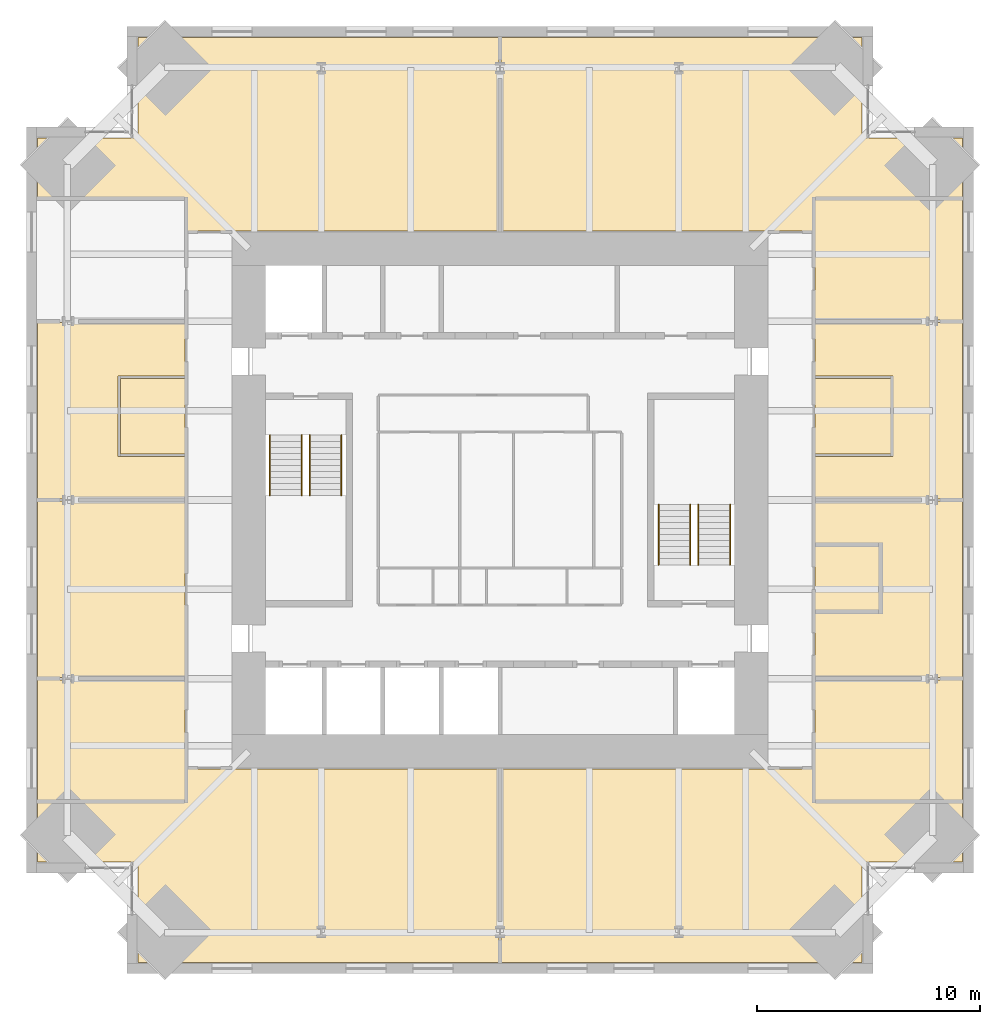
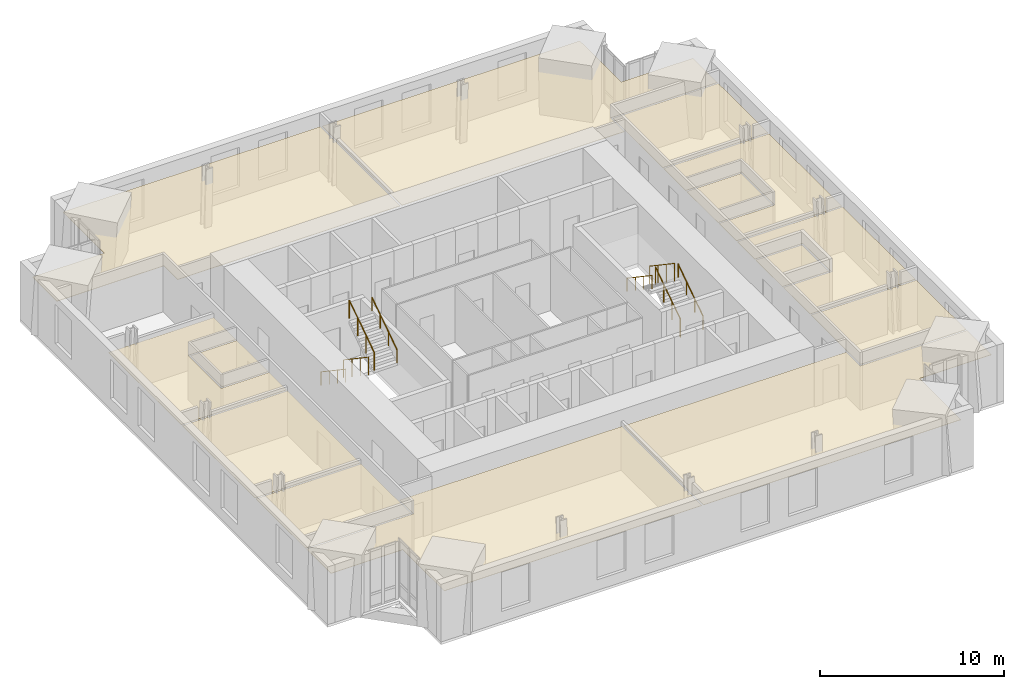
# One storey, part 15 of 15: 14 coverings, 8 railings.
"""IFC4 building model written with IfcOpenShell, lengths in metres."""

from ifc_helpers import new_model, si_unit, direction, frame, origin, origin_2d, place, context, subcontext, project, spatial, polyline, circle, outline, extrude, material, layer, layer_set, type_object, element, save


model = new_model("IFC4")

# Units and contexts
model_context = context("Model", 3, precision=1e-05, world=origin(), true_north=direction((0.0, 1.0)))
body_context = subcontext(model_context, "Body", "Model", "MODEL_VIEW")
ifc_project = project(units=[si_unit("LENGTHUNIT", "METRE"), si_unit("AREAUNIT", "SQUARE_METRE"), si_unit("VOLUMEUNIT", "CUBIC_METRE"), si_unit("PLANEANGLEUNIT", "RADIAN"), si_unit("MASSUNIT", "GRAM", prefix="KILO")], contexts=[model_context])

# Site, building, storey
site_placement = place(None, origin())
site = spatial("IfcSite", under=ifc_project, at=site_placement, CompositionType="ELEMENT")
building_placement = place(site_placement, origin())
building = spatial("IfcBuilding", under=site, at=building_placement, Name="Peilmerk Tower", CompositionType="ELEMENT")
storey_placement = place(building_placement, frame((0.0, 0.0, 285.800048828125)))
storey = spatial("IfcBuildingStorey", under=building, at=storey_placement, Name="L64", CompositionType="ELEMENT", Elevation=285.800048828125)

# Coverings
ifc_material_1 = material(Name="Mineral fibre ceiling tiles", Category="mineral")
ifc_layer = layer(ifc_material_1, 0.02490234375)
ifc_layer_set = layer_set([ifc_layer], Name="Mineral fibre ceiling tiles")
covering_type = type_object("IfcCoveringType", Name="CL1 25 suspended ceiling", PredefinedType="CEILING", material=ifc_layer_set)
covering_1_placement = place(storey_placement, frame((0.0, 0.0, 2.905029296875)))
element("IfcCovering", 1, at=covering_1_placement, inside=storey, type_object=covering_type, Name="Suspended ceiling Office", PredefinedType="CEILING", context=body_context, shape_type="SweptSolid", body=[
    extrude(outline(polyline([(-20.699951171875, 16.199951171875), (-20.699951171875, 13.550048828125), (-14.0, 13.550048828125), (-14.0, 12.050048828125), (-0.050048828125, 12.050048828125), (-0.050048828125, 20.699951171875), (-16.199951171875, 20.699951171875), (-16.199951171875, 16.199951171875), (-20.699951171875, 16.199951171875)])), origin(), (0.0, 0.0, 1.0), 0.02490234375),
])
covering_2_placement = place(storey_placement, frame((0.0, 0.0, 2.905029296875)))
element("IfcCovering", 2, at=covering_2_placement, inside=storey, type_object=covering_type, Name="Suspended ceiling Reception", PredefinedType="CEILING", context=body_context, shape_type="SweptSolid", body=[
    extrude(outline(polyline([(16.199951171875, 20.699951171875), (0.050048828125, 20.699951171875), (0.050048828125, 12.050048828125), (14.0, 12.050048828125), (14.0, 13.550048828125), (20.699951171875, 13.550048828125), (20.699951171875, 16.199951171875), (16.199951171875, 16.199951171875), (16.199951171875, 20.699951171875)])), origin(), (0.0, 0.0, 1.0), 0.02490234375),
])
covering_3_placement = place(storey_placement, frame((0.0, 0.0, 2.905029296875)))
element("IfcCovering", 3, at=covering_3_placement, inside=storey, type_object=covering_type, Name="Suspended ceiling Office", PredefinedType="CEILING", context=body_context, shape_type="SweptSolid", body=[
    extrude(outline(polyline([(-16.199951171875, -20.699951171875), (-0.050048828125, -20.699951171875), (-0.050048828125, -12.050048828125), (-14.0, -12.050048828125), (-14.0, -13.550048828125), (-20.699951171875, -13.550048828125), (-20.699951171875, -16.199951171875), (-16.199951171875, -16.199951171875), (-16.199951171875, -20.699951171875)])), origin(), (0.0, 0.0, 1.0), 0.02490234375),
])
covering_4_placement = place(storey_placement, frame((0.0, 0.0, 2.905029296875)))
element("IfcCovering", 4, at=covering_4_placement, inside=storey, type_object=covering_type, Name="Suspended ceiling Office", PredefinedType="CEILING", context=body_context, shape_type="SweptSolid", body=[
    extrude(outline(polyline([(0.050048828125, -20.699951171875), (16.199951171875, -20.699951171875), (16.199951171875, -16.199951171875), (20.699951171875, -16.199951171875), (20.699951171875, -13.550048828125), (14.0, -13.550048828125), (14.0, -12.050048828125), (0.050048828125, -12.050048828125), (0.050048828125, -20.699951171875)])), origin(), (0.0, 0.0, 1.0), 0.02490234375),
])
covering_5_placement = place(storey_placement, frame((0.0, 0.0, 2.905029296875)))
element("IfcCovering", 5, at=covering_5_placement, inside=storey, type_object=covering_type, Name="Suspended ceiling Executive office", PredefinedType="CEILING", context=body_context, shape_type="SweptSolid", body=[
    extrude(outline(polyline([(20.699951171875, -13.449951171875), (20.699951171875, -8.050048828125), (14.10009765625, -8.050048828125), (14.10009765625, -13.449951171875), (20.699951171875, -13.449951171875)])), origin(), (0.0, 0.0, 1.0), 0.02490234375),
])
covering_6_placement = place(storey_placement, frame((0.0, 0.0, 2.905029296875)))
element("IfcCovering", 6, at=covering_6_placement, inside=storey, type_object=covering_type, Name="Suspended ceiling Executive office", PredefinedType="CEILING", context=body_context, shape_type="SweptSolid", body=[
    extrude(outline(polyline([(14.10009765625, -7.949951171875), (20.699951171875, -7.949951171875), (20.699951171875, -0.050048828125), (14.10009765625, -0.050048828125), (14.10009765625, -1.949951171875), (17.10009765625, -1.949951171875), (17.10009765625, -5.050048828125), (14.10009765625, -5.050048828125), (14.10009765625, -7.949951171875)])), origin(), (0.0, 0.0, 1.0), 0.02490234375),
])
covering_7_placement = place(storey_placement, frame((0.0, 0.0, 2.905029296875)))
element("IfcCovering", 7, at=covering_7_placement, inside=storey, type_object=covering_type, Name="Suspended ceiling Executive office", PredefinedType="CEILING", context=body_context, shape_type="SweptSolid", body=[
    extrude(outline(polyline([(14.10009765625, 0.050048828125), (20.699951171875, 0.050048828125), (20.699951171875, 7.949951171875), (14.10009765625, 7.949951171875), (14.10009765625, 5.550048828125), (17.60009765625, 5.550048828125), (17.60009765625, 1.949951171875), (14.10009765625, 1.949951171875), (14.10009765625, 0.050048828125)])), origin(), (0.0, 0.0, 1.0), 0.02490234375),
])
covering_8_placement = place(storey_placement, frame((0.0, 0.0, 2.905029296875)))
element("IfcCovering", 8, at=covering_8_placement, inside=storey, type_object=covering_type, Name="Suspended ceiling Executive office", PredefinedType="CEILING", context=body_context, shape_type="SweptSolid", body=[
    extrude(outline(polyline([(20.699951171875, 8.050048828125), (20.699951171875, 13.449951171875), (14.10009765625, 13.449951171875), (14.10009765625, 8.050048828125), (20.699951171875, 8.050048828125)])), origin(), (0.0, 0.0, 1.0), 0.02490234375),
])
covering_9_placement = place(storey_placement, frame((0.0, 0.0, 2.905029296875)))
element("IfcCovering", 9, at=covering_9_placement, inside=storey, type_object=covering_type, Name="Suspended ceiling Meeting room", PredefinedType="CEILING", context=body_context, shape_type="SweptSolid", body=[
    extrude(outline(polyline([(17.5, 2.050048828125), (17.5, 5.449951171875), (14.10009765625, 5.449951171875), (14.10009765625, 2.050048828125), (17.5, 2.050048828125)])), origin(), (0.0, 0.0, 1.0), 0.02490234375),
])
covering_10_placement = place(storey_placement, frame((0.0, 0.0, 2.905029296875)))
element("IfcCovering", 10, at=covering_10_placement, inside=storey, type_object=covering_type, Name="Suspended ceiling Print room", PredefinedType="CEILING", context=body_context, shape_type="SweptSolid", body=[
    extrude(outline(polyline([(17.0, -4.949951171875), (17.0, -2.050048828125), (14.10009765625, -2.050048828125), (14.10009765625, -4.949951171875), (17.0, -4.949951171875)])), origin(), (0.0, 0.0, 1.0), 0.02490234375),
])
covering_11_placement = place(storey_placement, frame((0.0, 0.0, 2.905029296875)))
element("IfcCovering", 11, at=covering_11_placement, inside=storey, type_object=covering_type, Name="Suspended ceiling Executive office", PredefinedType="CEILING", context=body_context, shape_type="SweptSolid", body=[
    extrude(outline(polyline([(-20.699951171875, -8.050048828125), (-20.699951171875, -13.449951171875), (-14.10009765625, -13.449951171875), (-14.10009765625, -8.050048828125), (-20.699951171875, -8.050048828125)])), origin(), (0.0, 0.0, 1.0), 0.02490234375),
])
covering_12_placement = place(storey_placement, frame((0.0, 0.0, 2.905029296875)))
element("IfcCovering", 12, at=covering_12_placement, inside=storey, type_object=covering_type, Name="Suspended ceiling Board room", PredefinedType="CEILING", context=body_context, shape_type="SweptSolid", body=[
    extrude(outline(polyline([(-20.699951171875, -0.050048828125), (-20.699951171875, -7.949951171875), (-14.10009765625, -7.949951171875), (-14.10009765625, -0.050048828125), (-20.699951171875, -0.050048828125)])), origin(), (0.0, 0.0, 1.0), 0.02490234375),
])
covering_13_placement = place(storey_placement, frame((0.0, 0.0, 2.905029296875)))
element("IfcCovering", 13, at=covering_13_placement, inside=storey, type_object=covering_type, Name="Suspended ceiling Executive office", PredefinedType="CEILING", context=body_context, shape_type="SweptSolid", body=[
    extrude(outline(polyline([(-14.10009765625, 7.949951171875), (-20.699951171875, 7.949951171875), (-20.699951171875, 0.050048828125), (-14.10009765625, 0.050048828125), (-14.10009765625, 1.949951171875), (-17.10009765625, 1.949951171875), (-17.10009765625, 5.550048828125), (-14.10009765625, 5.550048828125), (-14.10009765625, 7.949951171875)])), origin(), (0.0, 0.0, 1.0), 0.02490234375),
])
covering_14_placement = place(storey_placement, frame((0.0, 0.0, 2.905029296875)))
element("IfcCovering", 14, at=covering_14_placement, inside=storey, type_object=covering_type, Name="Suspended ceiling Pantry", PredefinedType="CEILING", context=body_context, shape_type="SweptSolid", body=[
    extrude(outline(polyline([(-14.10009765625, 2.050048828125), (-14.10009765625, 5.449951171875), (-17.0, 5.449951171875), (-17.0, 2.050048828125), (-14.10009765625, 2.050048828125)])), origin(), (0.0, 0.0, 1.0), 0.02490234375),
])

# Railings
ifc_material_2 = material(Name="Steel flat bar balustrade", Category="steel")
railing_type_1 = type_object("IfcRailingType", Name="GR1 1200 stair guard", PredefinedType="GUARDRAIL", material=ifc_material_2)
railing_1_placement = place(storey_placement, frame((-8.8798828125, 2.89990234375, 0.181884765625)))
element("IfcRailing", 15, at=railing_1_placement, inside=storey, type_object=railing_type_1, Name="Guard stair 1 L64", PredefinedType="GUARDRAIL", context=body_context, shape_type="SweptSolid", body=[
    extrude(circle(Radius=0.02392578125, at=origin_2d()), frame((0.0, 0.0, 1.17578125), z_axis=(0.0, -0.829468130872, 0.55855404382), x_axis=(1.0, 0.0, 0.0)), (0.0, 0.0, 1.0), 3.255126953125),
    extrude(circle(Radius=0.02099609375, at=origin_2d()), origin(), (0.0, 0.0, 1.0), 1.15185546875),
    extrude(circle(Radius=0.02099609375, at=origin_2d()), frame((0.0, -0.89990234375, 0.60595703125)), (0.0, 0.0, 1.0), 1.15185546875),
    extrude(circle(Radius=0.02099609375, at=origin_2d()), frame((0.0, -1.800048828125, 1.212158203125)), (0.0, 0.0, 1.0), 1.15185546875),
    extrude(circle(Radius=0.02099609375, at=origin_2d()), frame((0.0, -2.699951171875, 1.818115234375)), (0.0, 0.0, 1.0), 1.15185546875),
])
for number, where, name in (
    (16, (-8.52001953125, 0.199951171875, 2.181884765625), "Guard stair 1 L64"),
    (17, (8.8798828125, -2.89990234375, 0.181884765625), "Guard stair 2 L64"),
):
    element("IfcRailing", number, at=place(storey_placement, frame(where)), inside=storey, type_object=railing_type_1, Name=name, PredefinedType="GUARDRAIL", context=body_context, shape_type="SweptSolid", body=[
        extrude(circle(Radius=0.02392578125, at=origin_2d()), frame((0.0, 0.0, 1.17578125), z_axis=(0.0, 0.829468130872, 0.55855404382), x_axis=(-1.0, 0.0, 0.0)), (0.0, 0.0, 1.0), 3.255126953125),
        extrude(circle(Radius=0.02099609375, at=origin_2d()), origin(), (0.0, 0.0, 1.0), 1.15185546875),
        extrude(circle(Radius=0.02099609375, at=origin_2d()), frame((0.0, 0.89990234375, 0.60595703125)), (0.0, 0.0, 1.0), 1.15185546875),
        extrude(circle(Radius=0.02099609375, at=origin_2d()), frame((0.0, 1.800048828125, 1.212158203125)), (0.0, 0.0, 1.0), 1.15185546875),
        extrude(circle(Radius=0.02099609375, at=origin_2d()), frame((0.0, 2.699951171875, 1.818115234375)), (0.0, 0.0, 1.0), 1.15185546875),
    ])
railing_2_placement = place(storey_placement, frame((8.52001953125, -0.199951171875, 2.181884765625)))
element("IfcRailing", 18, at=railing_2_placement, inside=storey, type_object=railing_type_1, Name="Guard stair 2 L64", PredefinedType="GUARDRAIL", context=body_context, shape_type="SweptSolid", body=[
    extrude(circle(Radius=0.02392578125, at=origin_2d()), frame((0.0, 0.0, 1.17578125), z_axis=(0.0, -0.829468130872, 0.55855404382), x_axis=(1.0, 0.0, 0.0)), (0.0, 0.0, 1.0), 3.255126953125),
    extrude(circle(Radius=0.02099609375, at=origin_2d()), origin(), (0.0, 0.0, 1.0), 1.15185546875),
    extrude(circle(Radius=0.02099609375, at=origin_2d()), frame((0.0, -0.89990234375, 0.60595703125)), (0.0, 0.0, 1.0), 1.15185546875),
    extrude(circle(Radius=0.02099609375, at=origin_2d()), frame((0.0, -1.800048828125, 1.212158203125)), (0.0, 0.0, 1.0), 1.15185546875),
    extrude(circle(Radius=0.02099609375, at=origin_2d()), frame((0.0, -2.699951171875, 1.818115234375)), (0.0, 0.0, 1.0), 1.15185546875),
])
ifc_material_3 = material(Name="Stainless steel tube", Category="steel")
railing_type_2 = type_object("IfcRailingType", Name="HR1 900 stair handrail", PredefinedType="HANDRAIL", material=ifc_material_3)
railing_3_placement = place(storey_placement, frame((-10.300048828125, 2.89990234375, 0.181884765625)))
element("IfcRailing", 19, at=railing_3_placement, inside=storey, type_object=railing_type_2, Name="Handrail stair 1 L64", PredefinedType="HANDRAIL", context=body_context, shape_type="SweptSolid", body=[
    extrude(circle(Radius=0.02392578125, at=origin_2d()), frame((0.0, 0.0, 0.8759765625), z_axis=(0.0, -0.829468130872, 0.55855404382), x_axis=(1.0, 0.0, 0.0)), (0.0, 0.0, 1.0), 3.255126953125),
    extrude(circle(Radius=0.02099609375, at=origin_2d()), origin(), (0.0, 0.0, 1.0), 0.851806640625),
    extrude(circle(Radius=0.02099609375, at=origin_2d()), frame((0.0, -0.89990234375, 0.60595703125)), (0.0, 0.0, 1.0), 0.851806640625),
    extrude(circle(Radius=0.02099609375, at=origin_2d()), frame((0.0, -1.800048828125, 1.212158203125)), (0.0, 0.0, 1.0), 0.851806640625),
    extrude(circle(Radius=0.02099609375, at=origin_2d()), frame((0.0, -2.699951171875, 1.818115234375)), (0.0, 0.0, 1.0), 0.851806640625),
])
for number, where, name in (
    (20, (-7.10009765625, 0.199951171875, 2.181884765625), "Handrail stair 1 L64"),
    (21, (10.300048828125, -2.89990234375, 0.181884765625), "Handrail stair 2 L64"),
):
    element("IfcRailing", number, at=place(storey_placement, frame(where)), inside=storey, type_object=railing_type_2, Name=name, PredefinedType="HANDRAIL", context=body_context, shape_type="SweptSolid", body=[
        extrude(circle(Radius=0.02392578125, at=origin_2d()), frame((0.0, 0.0, 0.8759765625), z_axis=(0.0, 0.829468130872, 0.55855404382), x_axis=(-1.0, 0.0, 0.0)), (0.0, 0.0, 1.0), 3.255126953125),
        extrude(circle(Radius=0.02099609375, at=origin_2d()), origin(), (0.0, 0.0, 1.0), 0.851806640625),
        extrude(circle(Radius=0.02099609375, at=origin_2d()), frame((0.0, 0.89990234375, 0.60595703125)), (0.0, 0.0, 1.0), 0.851806640625),
        extrude(circle(Radius=0.02099609375, at=origin_2d()), frame((0.0, 1.800048828125, 1.212158203125)), (0.0, 0.0, 1.0), 0.851806640625),
        extrude(circle(Radius=0.02099609375, at=origin_2d()), frame((0.0, 2.699951171875, 1.818115234375)), (0.0, 0.0, 1.0), 0.851806640625),
    ])
railing_4_placement = place(storey_placement, frame((7.10009765625, -0.199951171875, 2.181884765625)))
element("IfcRailing", 22, at=railing_4_placement, inside=storey, type_object=railing_type_2, Name="Handrail stair 2 L64", PredefinedType="HANDRAIL", context=body_context, shape_type="SweptSolid", body=[
    extrude(circle(Radius=0.02392578125, at=origin_2d()), frame((0.0, 0.0, 0.8759765625), z_axis=(0.0, -0.829468130872, 0.55855404382), x_axis=(1.0, 0.0, 0.0)), (0.0, 0.0, 1.0), 3.255126953125),
    extrude(circle(Radius=0.02099609375, at=origin_2d()), origin(), (0.0, 0.0, 1.0), 0.851806640625),
    extrude(circle(Radius=0.02099609375, at=origin_2d()), frame((0.0, -0.89990234375, 0.60595703125)), (0.0, 0.0, 1.0), 0.851806640625),
    extrude(circle(Radius=0.02099609375, at=origin_2d()), frame((0.0, -1.800048828125, 1.212158203125)), (0.0, 0.0, 1.0), 0.851806640625),
    extrude(circle(Radius=0.02099609375, at=origin_2d()), frame((0.0, -2.699951171875, 1.818115234375)), (0.0, 0.0, 1.0), 0.851806640625),
])

save(model, "model.ifc")
